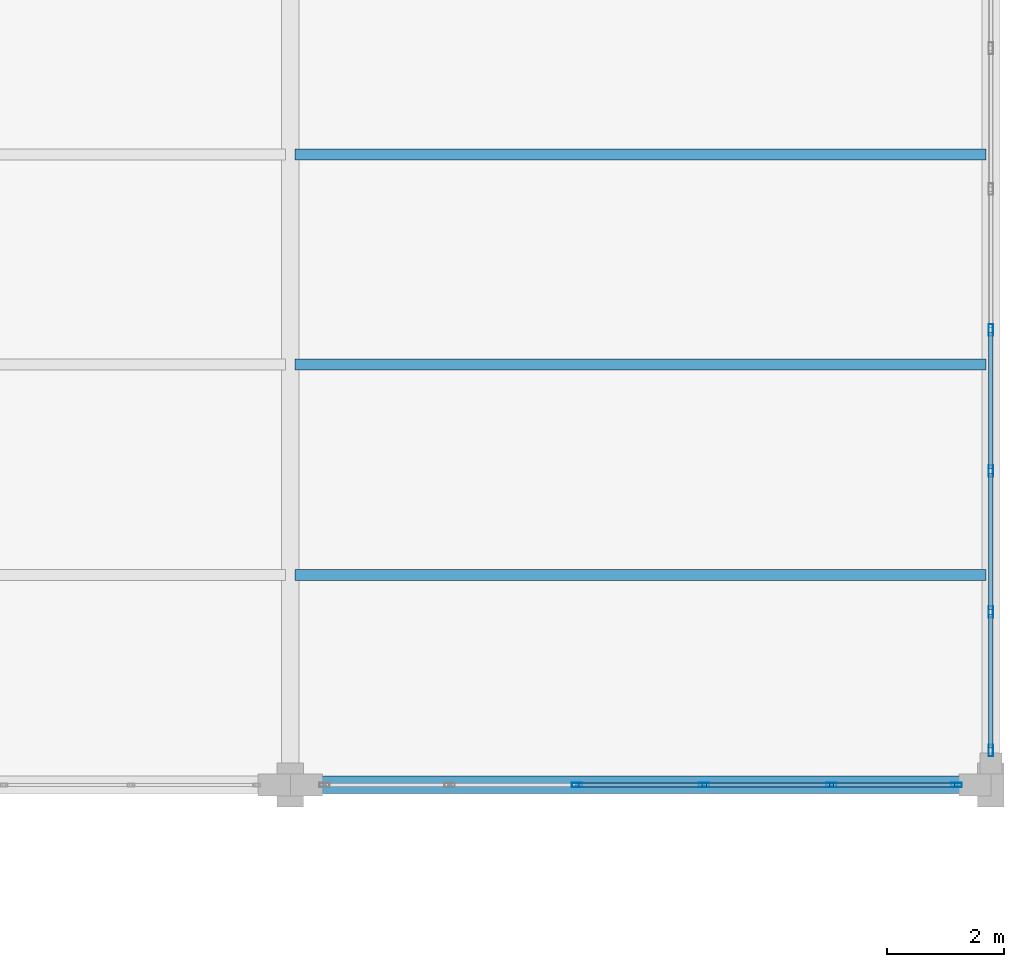
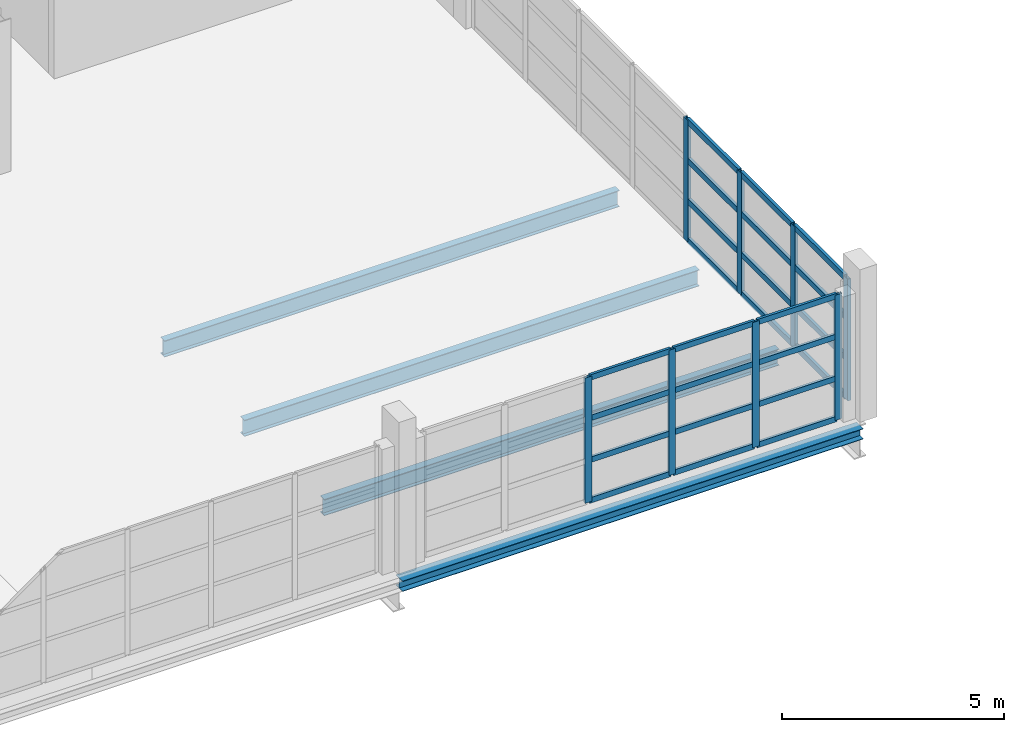
# One storey, part 100 of 147: 32 members, 4 beams, 2 elements without a shape of their own.
"""IFC4 building model written with IfcOpenShell, lengths in metres."""

import ifcopenshell
import ifcopenshell.guid

model = None  # the IFC model being written
_history = None  # IfcOwnerHistory: only IFC2X3 demands one
_inside = {}  # id of a spatial element -> (the spatial element, [elements in it])
_under = {}  # id of a project, library or spatial element -> (it, [spatial elements below it])
_declared = {}  # id of a project -> (the project, [libraries it declares])
_typed = {}  # id of a type object -> (the type object, [elements of that type])
_made_of = {}  # id of a material, layer set ... -> (it, [elements and type objects made of it])


def new_model(schema):
    """Start an empty IFC model of exactly this schema.

    Asked for "IFC4X3", IfcOpenShell would pick the latest addendum, in which some entities
    have other attributes; the version numbers below select the first issue.
    IFC2X3 requires an IfcOwnerHistory on every rooted entity: one is made here for all.
    """
    global model, _history
    if schema == "IFC4X3":
        model = ifcopenshell.file(schema_version=(4, 3, 0, 0))
    else:
        model = ifcopenshell.file(schema=schema)
    _inside.clear()
    _under.clear()
    _declared.clear()
    _typed.clear()
    _made_of.clear()
    _history = None
    if model.schema == "IFC2X3":
        org = make("IfcOrganization", Name="unknown")
        user = make(
            "IfcPersonAndOrganization",
            ThePerson=make("IfcPerson", FamilyName="unknown"),
            TheOrganization=org,
        )
        app = make(
            "IfcApplication",
            ApplicationDeveloper=org,
            Version="unknown",
            ApplicationFullName="unknown",
            ApplicationIdentifier="unknown",
        )
        _history = make(
            "IfcOwnerHistory",
            OwningUser=user,
            OwningApplication=app,
            ChangeAction="ADDED",
            CreationDate=0,
        )
    return model


def make(cls, **values):
    """One entity of the class cls with the attributes given. An attribute that is None is left unset."""
    return model.create_entity(
        cls, **{name: value for name, value in values.items() if value is not None}
    )


def rooted(cls, **values):
    """An entity with a GlobalId (a new one), such as an element, a storey or a relation."""
    return make(cls, GlobalId=ifcopenshell.guid.new(), OwnerHistory=_history, **values)


def si_unit(unit_type, name, prefix=None):
    """IfcSIUnit, for example si_unit("LENGTHUNIT", "METRE", prefix="MILLI")."""
    return make("IfcSIUnit", UnitType=unit_type, Prefix=prefix, Name=name)


def assignment(units):
    """IfcUnitAssignment: the units of a project."""
    return None if units is None else make("IfcUnitAssignment", Units=units)


def point(xyz):
    """IfcCartesianPoint."""
    return None if xyz is None else make("IfcCartesianPoint", Coordinates=xyz)


def direction(xyz):
    """IfcDirection."""
    return None if xyz is None else make("IfcDirection", DirectionRatios=xyz)


def frame(location, z_axis=None, x_axis=None):
    """IfcAxis2Placement3D, a coordinate frame: its origin and axes. An axis left out is left unset."""
    return make(
        "IfcAxis2Placement3D",
        Location=point(location),
        Axis=direction(z_axis),
        RefDirection=direction(x_axis),
    )


def frame_2d(location, x_axis=None):
    """IfcAxis2Placement2D, a coordinate frame in the plane: its origin and x axis."""
    return make(
        "IfcAxis2Placement2D", Location=point(location), RefDirection=direction(x_axis)
    )


def origin():
    """The frame at (0, 0, 0) with its axes left unset."""
    return frame((0.0, 0.0, 0.0))


def origin_2d():
    """The frame at (0, 0) in the plane with its x axis left unset."""
    return frame_2d((0.0, 0.0))


def place(relative_to, where):
    """IfcLocalPlacement: puts the frame where relative to a parent placement (None: the world)."""
    return make(
        "IfcLocalPlacement", PlacementRelTo=relative_to, RelativePlacement=where
    )


def context(
    kind, dimensions, precision=None, world=None, true_north=None, identifier=None
):
    """IfcGeometricRepresentationContext, for example the 3D "Model" context."""
    return make(
        "IfcGeometricRepresentationContext",
        ContextIdentifier=identifier,
        ContextType=kind,
        CoordinateSpaceDimension=dimensions,
        Precision=precision,
        WorldCoordinateSystem=world,
        TrueNorth=true_north,
    )


def subcontext(parent, identifier, kind, view, scale=None):
    """IfcGeometricRepresentationSubContext, for example "Body" below "Model"."""
    return make(
        "IfcGeometricRepresentationSubContext",
        ContextIdentifier=identifier,
        ContextType=kind,
        ParentContext=parent,
        TargetScale=scale,
        TargetView=view,
    )


def project(units=None, contexts=None):
    """IfcProject with its units and contexts."""
    return rooted(
        "IfcProject",
        Name="project",
        RepresentationContexts=contexts,
        UnitsInContext=assignment(units),
    )


def spatial(cls, under=None, at=None, **own):
    """A site, building, storey or space (cls), placed at a placement, below another one or the project."""
    s = rooted(cls, ObjectPlacement=at, **own)
    if under is not None:
        _under.setdefault(under.id(), (under, []))[1].append(s)
    return s


def profile(cls, at=None, kind="AREA", **sizes):
    """A parametric profile (cls). Its sizes go by their IFC names, for example OverallWidth=200.0."""
    return make(cls, ProfileType=kind, Position=at, **sizes)


def hollow_rectangle(**sizes):
    """IfcRectangleHollowProfileDef."""
    return profile("IfcRectangleHollowProfileDef", **sizes)


def i_section(**sizes):
    """IfcIShapeProfileDef."""
    return profile("IfcIShapeProfileDef", **sizes)


def extrude(swept, where, along, depth):
    """IfcExtrudedAreaSolid: the profile swept, set in the frame where, extruded along a direction by depth."""
    return make(
        "IfcExtrudedAreaSolid",
        SweptArea=swept,
        Position=where,
        ExtrudedDirection=direction(along),
        Depth=depth,
    )


def shape(context_of_items, identifier, shape_type, items):
    """IfcShapeRepresentation: the items that make up one representation, for example the "Body"."""
    return make(
        "IfcShapeRepresentation",
        ContextOfItems=context_of_items,
        RepresentationIdentifier=identifier,
        RepresentationType=shape_type,
        Items=items,
    )


def material(Name=None, Category=None):
    """IfcMaterial."""
    return make("IfcMaterial", Name=Name, Category=Category)


def layer(
    of_material, thickness, ventilated=None, Name=None, Category=None, Priority=None
):
    """IfcMaterialLayer: one layer of a wall or slab, of a material (None: an air gap)."""
    return make(
        "IfcMaterialLayer",
        Material=of_material,
        LayerThickness=thickness,
        IsVentilated=ventilated,
        Name=Name,
        Category=Category,
        Priority=Priority,
    )


def layer_set(layers, Name=None):
    """IfcMaterialLayerSet."""
    return make("IfcMaterialLayerSet", MaterialLayers=layers, LayerSetName=Name)


def material_profile(
    of_material, cross_section, Name=None, Category=None, Priority=None
):
    """IfcMaterialProfile: a cross section and its material."""
    return make(
        "IfcMaterialProfile",
        Name=Name,
        Material=of_material,
        Profile=cross_section,
        Priority=Priority,
        Category=Category,
    )


def profile_set(profiles, Name=None, composite=None):
    """IfcMaterialProfileSet."""
    return make(
        "IfcMaterialProfileSet",
        Name=Name,
        MaterialProfiles=profiles,
        CompositeProfile=composite,
    )


def made_of(thing, what):
    """Note that an element or type object is made of a material, layer set ...; save() writes the relation."""
    if what is not None:
        _made_of.setdefault(what.id(), (what, []))[1].append(thing)
    return thing


def type_object(cls, material=None, **own):
    """A type object (cls), such as IfcWallType, which elements share."""
    return made_of(rooted(cls, **own), material)


def element(
    cls,
    number,
    at=None,
    inside=None,
    cuts=None,
    type_object=None,
    material=None,
    context=None,
    identifier="Body",
    shape_type=None,
    held_by="IfcProductDefinitionShape",
    body=None,
    shapes=None,
    **own,
):
    """One element of the class cls, such as IfcWall. Its Tag is "e" and its number.

    at: its placement. inside: the storey or other place that contains it. cuts: it is an
    opening in that element (IfcRelVoidsElement). A single representation is given by context,
    identifier, shape_type and body (its items); several are given by shapes. held_by: the class
    of the entity that holds the representations. save() writes the other relations.
    """
    e = rooted(cls, Tag="e%d" % number, ObjectPlacement=at, **own)
    if body is not None:
        shapes = [shape(context, identifier, shape_type, body)]
    if shapes is not None:
        e.Representation = make(held_by, Representations=shapes)
    if inside is not None:
        _inside.setdefault(inside.id(), (inside, []))[1].append(e)
    if cuts is not None:
        rooted(
            "IfcRelVoidsElement", RelatingBuildingElement=cuts, RelatedOpeningElement=e
        )
    if type_object is not None:
        _typed.setdefault(type_object.id(), (type_object, []))[1].append(e)
    return made_of(e, material)


def aggregate(whole, parts):
    """IfcRelAggregates: a whole, such as a stair, and the parts it consists of."""
    return rooted("IfcRelAggregates", RelatingObject=whole, RelatedObjects=parts)


def save(model, path):
    """Write the relations noted so far, then the file.

    IfcRelAggregates (storeys below a building ...), IfcRelContainedInSpatialStructure (elements
    in a storey), IfcRelDefinesByType, IfcRelAssociatesMaterial and IfcRelDeclares: one each for
    every whole, place, type object, material and project.
    """
    for whole, parts in _under.values():
        aggregate(whole, parts)
    for where, things in _inside.values():
        rooted(
            "IfcRelContainedInSpatialStructure",
            RelatedElements=things,
            RelatingStructure=where,
        )
    for kind, things in _typed.values():
        rooted("IfcRelDefinesByType", RelatedObjects=things, RelatingType=kind)
    for what, things in _made_of.values():
        rooted("IfcRelAssociatesMaterial", RelatedObjects=things, RelatingMaterial=what)
    for by, libraries in _declared.values():
        rooted("IfcRelDeclares", RelatingContext=by, RelatedDefinitions=libraries)
    model.write(path)


model = new_model("IFC4")

# Units and contexts
model_context = context("Model", 3, precision=1e-05, world=origin(), true_north=direction((0.0, 1.0)))
body_context = subcontext(model_context, "Body", "Model", "MODEL_VIEW")
ifc_project = project(units=[si_unit("LENGTHUNIT", "METRE"), si_unit("AREAUNIT", "SQUARE_METRE"), si_unit("VOLUMEUNIT", "CUBIC_METRE"), si_unit("PLANEANGLEUNIT", "RADIAN"), si_unit("MASSUNIT", "GRAM", prefix="KILO")], contexts=[model_context])

# Site, building, storey
site_placement = place(None, origin())
site = spatial("IfcSite", under=ifc_project, at=site_placement, CompositionType="ELEMENT")
building_placement = place(site_placement, origin())
building = spatial("IfcBuilding", under=site, at=building_placement, Name="Zilviju Railside Exhibition Hall", CompositionType="ELEMENT")
storey_placement = place(building_placement, frame((0.0, 0.0, 8.39990234375)))
storey = spatial("IfcBuildingStorey", under=building, at=storey_placement, Name="L03", CompositionType="ELEMENT", Elevation=8.39990234375)

# Beams
ifc_material_1 = material(Name="Steel S355J2", Category="steel")
ifc_material_profile_1 = material_profile(ifc_material_1, i_section(OverallWidth=0.300048828125, OverallDepth=0.2900390625, WebThickness=0.008544921875, FlangeThickness=0.013916015625, at=origin_2d()), Name="HEA 300")
ifc_profile_set_1 = profile_set([ifc_material_profile_1], Name="Steel S355J2")
beam_type_1 = type_object("IfcBeamType", Name="BM-HEA300", PredefinedType="SPANDREL", material=ifc_profile_set_1)
beam_placement = place(storey_placement, frame((204.0, 84.0, -0.52490234375), z_axis=(1.0, 0.0, 0.0), x_axis=(0.0, 1.0, 0.0)))
element("IfcBeam", 1, at=beam_placement, inside=storey, type_object=beam_type_1, Name="Primary Girder L03 Y=84.0 (204.0..216.0)", PredefinedType="SPANDREL", context=body_context, shape_type="SweptSolid", body=[
    extrude(i_section(OverallWidth=0.300048828125, OverallDepth=0.2900390625, WebThickness=0.008544921875, FlangeThickness=0.013916015625, at=origin_2d()), origin(), (0.0, 0.0, 1.0), 12.0),
])
ifc_material_profile_2 = material_profile(ifc_material_1, i_section(OverallWidth=0.18994140625, OverallDepth=0.449951171875, WebThickness=0.009521484375, FlangeThickness=0.0146484375, at=origin_2d()), Name="IPE 450")
ifc_profile_set_2 = profile_set([ifc_material_profile_2], Name="Steel S355J2")
beam_type_2 = type_object("IfcBeamType", Name="BM-IPE450", PredefinedType="JOIST", material=ifc_profile_set_2)
for number, where, z_axis, x_axis, name in (
    (2, (204.080078125, 87.60009765625, -0.60498046875), (1.0, 0.0, 0.0), (0.0, 1.0, 0.0), "Composite Floor Joist L03 Y=87.60 (204.0..216.0)"),
    (3, (204.080078125, 91.199951171875, -0.60498046875), (1.0, 0.0, 0.0), (0.0, 1.0, 0.0), "Composite Floor Joist L03 Y=91.20 (204.0..216.0)"),
    (4, (204.080078125, 94.800048828125, -0.60498046875), (1.0, 0.0, 0.0), (0.0, 1.0, 0.0), "Composite Floor Joist L03 Y=94.80 (204.0..216.0)"),
):
    element("IfcBeam", number, at=place(storey_placement, frame(where, z_axis=z_axis, x_axis=x_axis)), inside=storey, type_object=beam_type_2, Name=name, PredefinedType="JOIST", context=body_context, shape_type="SweptSolid", body=[
        extrude(i_section(OverallWidth=0.18994140625, OverallDepth=0.449951171875, WebThickness=0.009521484375, FlangeThickness=0.0146484375, at=origin_2d()), origin(), (0.0, 0.0, 1.0), 11.83984375),
    ])

# Curtain wall, members
ifc_material_2 = material(Name="Thermally broken aluminium-steel triple-glazed curtain wall", Category="steel")
ifc_layer_1 = layer(ifc_material_2, 0.179931640625)
ifc_layer_set_1 = layer_set([ifc_layer_1], Name="Thermally broken aluminium-steel triple-glazed curtain wall")
curtain_wall_type_1 = type_object("IfcCurtainWallType", Name="CW-BAY-05", PredefinedType="USERDEFINED", material=ifc_layer_set_1)
curtain_wall_1_placement = place(storey_placement, origin())
curtain_wall_1 = element("IfcCurtainWall", 5, at=curtain_wall_1_placement, inside=storey, type_object=curtain_wall_type_1, Name="North Hall Garden Court Curtain Wall L03 (204..216)", ObjectType="GLAZED CURTAIN WALL", PredefinedType="USERDEFINED")
ifc_material_3 = material(Name="Thermally broken anodized aluminium mullion", Category="aluminium")
ifc_material_profile_3 = material_profile(ifc_material_3, hollow_rectangle(XDim=0.070068359375, YDim=0.179931640625, WallThickness=0.0048828125, at=origin_2d()), Name="MULLION 180x70x5")
ifc_profile_set_3 = profile_set([ifc_material_profile_3], Name="Thermally broken anodized aluminium mullion")
member_type_1 = type_object("IfcMemberType", Name="CWM-70x180", PredefinedType="MULLION", material=ifc_profile_set_3)
member_1_placement = place(storey_placement, frame((215.4150390625, 84.0, 0.0), z_axis=(0.0, 0.0, 1.0), x_axis=(0.0, -1.0, 0.0)))
member_1 = element("IfcMember", 6, at=member_1_placement, type_object=member_type_1, Name="CW-05 mullion 1", PredefinedType="MULLION", context=body_context, shape_type="SweptSolid", body=[
    extrude(hollow_rectangle(XDim=0.070068359375, YDim=0.179931640625, WallThickness=0.0048828125, at=origin_2d()), origin(), (0.0, 0.0, 1.0), 3.4501953125),
])
member_2_placement = place(storey_placement, frame((213.27001953125, 84.0, 0.0), z_axis=(0.0, 0.0, 1.0), x_axis=(0.0, -1.0, 0.0)))
member_2 = element("IfcMember", 7, at=member_2_placement, type_object=member_type_1, Name="CW-05 mullion 2", PredefinedType="MULLION", context=body_context, shape_type="SweptSolid", body=[
    extrude(hollow_rectangle(XDim=0.070068359375, YDim=0.179931640625, WallThickness=0.0048828125, at=origin_2d()), origin(), (0.0, 0.0, 1.0), 3.4501953125),
])
member_3_placement = place(storey_placement, frame((211.090087890625, 84.0, 0.0), z_axis=(0.0, 0.0, 1.0), x_axis=(0.0, -1.0, 0.0)))
member_3 = element("IfcMember", 8, at=member_3_placement, type_object=member_type_1, Name="CW-05 mullion 3", PredefinedType="MULLION", context=body_context, shape_type="SweptSolid", body=[
    extrude(hollow_rectangle(XDim=0.070068359375, YDim=0.179931640625, WallThickness=0.0048828125, at=origin_2d()), origin(), (0.0, 0.0, 1.0), 3.4501953125),
])
member_4_placement = place(storey_placement, frame((208.909912109375, 84.0, 0.0), z_axis=(0.0, 0.0, 1.0), x_axis=(0.0, -1.0, 0.0)))
member_4 = element("IfcMember", 9, at=member_4_placement, type_object=member_type_1, Name="CW-05 mullion 4", PredefinedType="MULLION", context=body_context, shape_type="SweptSolid", body=[
    extrude(hollow_rectangle(XDim=0.070068359375, YDim=0.179931640625, WallThickness=0.0048828125, at=origin_2d()), origin(), (0.0, 0.0, 1.0), 3.4501953125),
])

ifc_layer_2 = layer(ifc_material_2, 0.179931640625)
ifc_layer_set_2 = layer_set([ifc_layer_2], Name="Thermally broken aluminium-steel triple-glazed curtain wall")
curtain_wall_type_2 = type_object("IfcCurtainWallType", Name="CW-BAY-08", PredefinedType="USERDEFINED", material=ifc_layer_set_2)
curtain_wall_2_placement = place(storey_placement, origin())
curtain_wall_2 = element("IfcCurtainWall", 10, at=curtain_wall_2_placement, inside=storey, type_object=curtain_wall_type_2, Name="North Hall East Glazed Gable L03 (84..102)", ObjectType="GLAZED CURTAIN WALL", PredefinedType="USERDEFINED")
ifc_material_profile_4 = material_profile(ifc_material_3, hollow_rectangle(XDim=0.080078125, YDim=0.199951171875, WallThickness=0.0048828125, at=origin_2d()), Name="MULLION 200x80x5")
ifc_profile_set_4 = profile_set([ifc_material_profile_4], Name="Thermally broken anodized aluminium mullion")
member_type_2 = type_object("IfcMemberType", Name="CWM-80x200", PredefinedType="MULLION", material=ifc_profile_set_4)
member_5_placement = place(storey_placement, frame((216.0, 91.79296875, 0.0), z_axis=(0.0, 0.0, 1.0), x_axis=(1.0, 0.0, 0.0)))
member_5 = element("IfcMember", 11, at=member_5_placement, type_object=member_type_2, Name="CW-08 mullion 5", PredefinedType="MULLION", context=body_context, shape_type="SweptSolid", body=[
    extrude(hollow_rectangle(XDim=0.080078125, YDim=0.199951171875, WallThickness=0.0048828125, at=origin_2d()), origin(), (0.0, 0.0, 1.0), 3.35009765625),
])
member_6_placement = place(storey_placement, frame((216.0, 89.378662109375, 0.0), z_axis=(0.0, 0.0, 1.0), x_axis=(1.0, 0.0, 0.0)))
member_6 = element("IfcMember", 12, at=member_6_placement, type_object=member_type_2, Name="CW-08 mullion 6", PredefinedType="MULLION", context=body_context, shape_type="SweptSolid", body=[
    extrude(hollow_rectangle(XDim=0.080078125, YDim=0.199951171875, WallThickness=0.0048828125, at=origin_2d()), origin(), (0.0, 0.0, 1.0), 3.35009765625),
])
member_7_placement = place(storey_placement, frame((216.0, 86.96435546875, 0.0), z_axis=(0.0, 0.0, 1.0), x_axis=(1.0, 0.0, 0.0)))
member_7 = element("IfcMember", 13, at=member_7_placement, type_object=member_type_2, Name="CW-08 mullion 7", PredefinedType="MULLION", context=body_context, shape_type="SweptSolid", body=[
    extrude(hollow_rectangle(XDim=0.080078125, YDim=0.199951171875, WallThickness=0.0048828125, at=origin_2d()), origin(), (0.0, 0.0, 1.0), 3.35009765625),
])
member_8_placement = place(storey_placement, frame((216.0, 84.590087890625, 0.0), z_axis=(0.0, 0.0, 1.0), x_axis=(1.0, 0.0, 0.0)))
member_8 = element("IfcMember", 14, at=member_8_placement, type_object=member_type_2, Name="CW-08 mullion 8", PredefinedType="MULLION", context=body_context, shape_type="SweptSolid", body=[
    extrude(hollow_rectangle(XDim=0.080078125, YDim=0.199951171875, WallThickness=0.0048828125, at=origin_2d()), origin(), (0.0, 0.0, 1.0), 3.35009765625),
])

# Member
ifc_material_4 = material(Name="Thermally broken anodized aluminium transom", Category="aluminium")
ifc_material_profile_5 = material_profile(ifc_material_4, hollow_rectangle(XDim=0.070068359375, YDim=0.14990234375, WallThickness=0.0048828125, at=origin_2d()), Name="TRANSOM 150x70x5")
ifc_profile_set_5 = profile_set([ifc_material_profile_5], Name="Thermally broken anodized aluminium transom")
member_type_3 = type_object("IfcMemberType", Name="CWT-70x150", PredefinedType="USERDEFINED", material=ifc_profile_set_5)
member_9_placement = place(storey_placement, frame((215.3798828125, 84.0, 0.03515625), z_axis=(-1.0, 0.0, 0.0), x_axis=(0.0, -1.0, 0.0)))
member_9 = element("IfcMember", 15, at=member_9_placement, type_object=member_type_3, Name="CW-05 transom 1.1", ObjectType="TRANSOM", PredefinedType="USERDEFINED", context=body_context, shape_type="SweptSolid", body=[
    extrude(hollow_rectangle(XDim=0.070068359375, YDim=0.14990234375, WallThickness=0.0048828125, at=origin_2d()), origin(), (0.0, 0.0, 1.0), 2.074951171875),
])

member_10_placement = place(storey_placement, frame((215.3798828125, 84.0, 1.150146484375), z_axis=(-1.0, 0.0, 0.0), x_axis=(0.0, -1.0, 0.0)))
member_10 = element("IfcMember", 16, at=member_10_placement, type_object=member_type_3, Name="CW-05 transom 1.2", ObjectType="TRANSOM", PredefinedType="USERDEFINED", context=body_context, shape_type="SweptSolid", body=[
    extrude(hollow_rectangle(XDim=0.070068359375, YDim=0.14990234375, WallThickness=0.0048828125, at=origin_2d()), origin(), (0.0, 0.0, 1.0), 2.074951171875),
])

member_11_placement = place(storey_placement, frame((215.3798828125, 84.0, 2.300048828125), z_axis=(-1.0, 0.0, 0.0), x_axis=(0.0, -1.0, 0.0)))
member_11 = element("IfcMember", 17, at=member_11_placement, type_object=member_type_3, Name="CW-05 transom 1.3", ObjectType="TRANSOM", PredefinedType="USERDEFINED", context=body_context, shape_type="SweptSolid", body=[
    extrude(hollow_rectangle(XDim=0.070068359375, YDim=0.14990234375, WallThickness=0.0048828125, at=origin_2d()), origin(), (0.0, 0.0, 1.0), 2.074951171875),
])

member_12_placement = place(storey_placement, frame((215.3798828125, 84.0, 3.4150390625), z_axis=(-1.0, 0.0, 0.0), x_axis=(0.0, -1.0, 0.0)))
member_12 = element("IfcMember", 18, at=member_12_placement, type_object=member_type_3, Name="CW-05 transom 1.4", ObjectType="TRANSOM", PredefinedType="USERDEFINED", context=body_context, shape_type="SweptSolid", body=[
    extrude(hollow_rectangle(XDim=0.070068359375, YDim=0.14990234375, WallThickness=0.0048828125, at=origin_2d()), origin(), (0.0, 0.0, 1.0), 2.074951171875),
])

member_13_placement = place(storey_placement, frame((213.235107421875, 84.0, 0.03515625), z_axis=(-1.0, 0.0, 0.0), x_axis=(0.0, -1.0, 0.0)))
member_13 = element("IfcMember", 19, at=member_13_placement, type_object=member_type_3, Name="CW-05 transom 2.1", ObjectType="TRANSOM", PredefinedType="USERDEFINED", context=body_context, shape_type="SweptSolid", body=[
    extrude(hollow_rectangle(XDim=0.070068359375, YDim=0.14990234375, WallThickness=0.0048828125, at=origin_2d()), origin(), (0.0, 0.0, 1.0), 2.110107421875),
])

member_14_placement = place(storey_placement, frame((213.235107421875, 84.0, 1.150146484375), z_axis=(-1.0, 0.0, 0.0), x_axis=(0.0, -1.0, 0.0)))
member_14 = element("IfcMember", 20, at=member_14_placement, type_object=member_type_3, Name="CW-05 transom 2.2", ObjectType="TRANSOM", PredefinedType="USERDEFINED", context=body_context, shape_type="SweptSolid", body=[
    extrude(hollow_rectangle(XDim=0.070068359375, YDim=0.14990234375, WallThickness=0.0048828125, at=origin_2d()), origin(), (0.0, 0.0, 1.0), 2.110107421875),
])

member_15_placement = place(storey_placement, frame((213.235107421875, 84.0, 2.300048828125), z_axis=(-1.0, 0.0, 0.0), x_axis=(0.0, -1.0, 0.0)))
member_15 = element("IfcMember", 21, at=member_15_placement, type_object=member_type_3, Name="CW-05 transom 2.3", ObjectType="TRANSOM", PredefinedType="USERDEFINED", context=body_context, shape_type="SweptSolid", body=[
    extrude(hollow_rectangle(XDim=0.070068359375, YDim=0.14990234375, WallThickness=0.0048828125, at=origin_2d()), origin(), (0.0, 0.0, 1.0), 2.110107421875),
])

member_16_placement = place(storey_placement, frame((213.235107421875, 84.0, 3.4150390625), z_axis=(-1.0, 0.0, 0.0), x_axis=(0.0, -1.0, 0.0)))
member_16 = element("IfcMember", 22, at=member_16_placement, type_object=member_type_3, Name="CW-05 transom 2.4", ObjectType="TRANSOM", PredefinedType="USERDEFINED", context=body_context, shape_type="SweptSolid", body=[
    extrude(hollow_rectangle(XDim=0.070068359375, YDim=0.14990234375, WallThickness=0.0048828125, at=origin_2d()), origin(), (0.0, 0.0, 1.0), 2.110107421875),
])

member_17_placement = place(storey_placement, frame((211.054931640625, 84.0, 0.03515625), z_axis=(-1.0, 0.0, 0.0), x_axis=(0.0, -1.0, 0.0)))
member_17 = element("IfcMember", 23, at=member_17_placement, type_object=member_type_3, Name="CW-05 transom 3.1", ObjectType="TRANSOM", PredefinedType="USERDEFINED", context=body_context, shape_type="SweptSolid", body=[
    extrude(hollow_rectangle(XDim=0.070068359375, YDim=0.14990234375, WallThickness=0.0048828125, at=origin_2d()), origin(), (0.0, 0.0, 1.0), 2.10986328125),
])

member_18_placement = place(storey_placement, frame((211.054931640625, 84.0, 1.150146484375), z_axis=(-1.0, 0.0, 0.0), x_axis=(0.0, -1.0, 0.0)))
member_18 = element("IfcMember", 24, at=member_18_placement, type_object=member_type_3, Name="CW-05 transom 3.2", ObjectType="TRANSOM", PredefinedType="USERDEFINED", context=body_context, shape_type="SweptSolid", body=[
    extrude(hollow_rectangle(XDim=0.070068359375, YDim=0.14990234375, WallThickness=0.0048828125, at=origin_2d()), origin(), (0.0, 0.0, 1.0), 2.10986328125),
])

member_19_placement = place(storey_placement, frame((211.054931640625, 84.0, 2.300048828125), z_axis=(-1.0, 0.0, 0.0), x_axis=(0.0, -1.0, 0.0)))
member_19 = element("IfcMember", 25, at=member_19_placement, type_object=member_type_3, Name="CW-05 transom 3.3", ObjectType="TRANSOM", PredefinedType="USERDEFINED", context=body_context, shape_type="SweptSolid", body=[
    extrude(hollow_rectangle(XDim=0.070068359375, YDim=0.14990234375, WallThickness=0.0048828125, at=origin_2d()), origin(), (0.0, 0.0, 1.0), 2.10986328125),
])

member_20_placement = place(storey_placement, frame((211.054931640625, 84.0, 3.4150390625), z_axis=(-1.0, 0.0, 0.0), x_axis=(0.0, -1.0, 0.0)))
member_20 = element("IfcMember", 26, at=member_20_placement, type_object=member_type_3, Name="CW-05 transom 3.4", ObjectType="TRANSOM", PredefinedType="USERDEFINED", context=body_context, shape_type="SweptSolid", body=[
    extrude(hollow_rectangle(XDim=0.070068359375, YDim=0.14990234375, WallThickness=0.0048828125, at=origin_2d()), origin(), (0.0, 0.0, 1.0), 2.10986328125),
])

aggregate(curtain_wall_1, [member_1, member_2, member_3, member_4, member_9, member_10, member_11, member_12, member_13, member_14, member_15, member_16, member_17, member_18, member_19, member_20])

ifc_material_profile_6 = material_profile(ifc_material_4, hollow_rectangle(XDim=0.080078125, YDim=0.159912109375, WallThickness=0.0048828125, at=origin_2d()), Name="TRANSOM 160x80x5")
ifc_profile_set_6 = profile_set([ifc_material_profile_6], Name="Thermally broken anodized aluminium transom")
member_type_4 = type_object("IfcMemberType", Name="CWT-80x160", PredefinedType="USERDEFINED", material=ifc_profile_set_6)
member_21_placement = place(storey_placement, frame((216.0, 91.7529296875, 0.0400390625), z_axis=(0.0, -1.0, 0.0), x_axis=(1.0, 0.0, 0.0)))
member_21 = element("IfcMember", 27, at=member_21_placement, type_object=member_type_4, Name="CW-08 transom 5.1", ObjectType="TRANSOM", PredefinedType="USERDEFINED", context=body_context, shape_type="SweptSolid", body=[
    extrude(hollow_rectangle(XDim=0.080078125, YDim=0.159912109375, WallThickness=0.0048828125, at=origin_2d()), origin(), (0.0, 0.0, 1.0), 2.33447265625),
])

member_22_placement = place(storey_placement, frame((216.0, 91.7529296875, 1.1171875), z_axis=(0.0, -1.0, 0.0), x_axis=(1.0, 0.0, 0.0)))
member_22 = element("IfcMember", 28, at=member_22_placement, type_object=member_type_4, Name="CW-08 transom 5.2", ObjectType="TRANSOM", PredefinedType="USERDEFINED", context=body_context, shape_type="SweptSolid", body=[
    extrude(hollow_rectangle(XDim=0.080078125, YDim=0.159912109375, WallThickness=0.0048828125, at=origin_2d()), origin(), (0.0, 0.0, 1.0), 2.33447265625),
])

member_23_placement = place(storey_placement, frame((216.0, 91.7529296875, 2.233154296875), z_axis=(0.0, -1.0, 0.0), x_axis=(1.0, 0.0, 0.0)))
member_23 = element("IfcMember", 29, at=member_23_placement, type_object=member_type_4, Name="CW-08 transom 5.3", ObjectType="TRANSOM", PredefinedType="USERDEFINED", context=body_context, shape_type="SweptSolid", body=[
    extrude(hollow_rectangle(XDim=0.080078125, YDim=0.159912109375, WallThickness=0.0048828125, at=origin_2d()), origin(), (0.0, 0.0, 1.0), 2.33447265625),
])

member_24_placement = place(storey_placement, frame((216.0, 91.7529296875, 3.31005859375), z_axis=(0.0, -1.0, 0.0), x_axis=(1.0, 0.0, 0.0)))
member_24 = element("IfcMember", 30, at=member_24_placement, type_object=member_type_4, Name="CW-08 transom 5.4", ObjectType="TRANSOM", PredefinedType="USERDEFINED", context=body_context, shape_type="SweptSolid", body=[
    extrude(hollow_rectangle(XDim=0.080078125, YDim=0.159912109375, WallThickness=0.0048828125, at=origin_2d()), origin(), (0.0, 0.0, 1.0), 2.33447265625),
])

member_25_placement = place(storey_placement, frame((216.0, 89.338623046875, 0.0400390625), z_axis=(0.0, -1.0, 0.0), x_axis=(1.0, 0.0, 0.0)))
member_25 = element("IfcMember", 31, at=member_25_placement, type_object=member_type_4, Name="CW-08 transom 6.1", ObjectType="TRANSOM", PredefinedType="USERDEFINED", context=body_context, shape_type="SweptSolid", body=[
    extrude(hollow_rectangle(XDim=0.080078125, YDim=0.159912109375, WallThickness=0.0048828125, at=origin_2d()), origin(), (0.0, 0.0, 1.0), 2.334228515625),
])

member_26_placement = place(storey_placement, frame((216.0, 89.338623046875, 1.1171875), z_axis=(0.0, -1.0, 0.0), x_axis=(1.0, 0.0, 0.0)))
member_26 = element("IfcMember", 32, at=member_26_placement, type_object=member_type_4, Name="CW-08 transom 6.2", ObjectType="TRANSOM", PredefinedType="USERDEFINED", context=body_context, shape_type="SweptSolid", body=[
    extrude(hollow_rectangle(XDim=0.080078125, YDim=0.159912109375, WallThickness=0.0048828125, at=origin_2d()), origin(), (0.0, 0.0, 1.0), 2.334228515625),
])

member_27_placement = place(storey_placement, frame((216.0, 89.338623046875, 2.233154296875), z_axis=(0.0, -1.0, 0.0), x_axis=(1.0, 0.0, 0.0)))
member_27 = element("IfcMember", 33, at=member_27_placement, type_object=member_type_4, Name="CW-08 transom 6.3", ObjectType="TRANSOM", PredefinedType="USERDEFINED", context=body_context, shape_type="SweptSolid", body=[
    extrude(hollow_rectangle(XDim=0.080078125, YDim=0.159912109375, WallThickness=0.0048828125, at=origin_2d()), origin(), (0.0, 0.0, 1.0), 2.334228515625),
])

member_28_placement = place(storey_placement, frame((216.0, 89.338623046875, 3.31005859375), z_axis=(0.0, -1.0, 0.0), x_axis=(1.0, 0.0, 0.0)))
member_28 = element("IfcMember", 34, at=member_28_placement, type_object=member_type_4, Name="CW-08 transom 6.4", ObjectType="TRANSOM", PredefinedType="USERDEFINED", context=body_context, shape_type="SweptSolid", body=[
    extrude(hollow_rectangle(XDim=0.080078125, YDim=0.159912109375, WallThickness=0.0048828125, at=origin_2d()), origin(), (0.0, 0.0, 1.0), 2.334228515625),
])

member_29_placement = place(storey_placement, frame((216.0, 86.92431640625, 0.0400390625), z_axis=(0.0, -1.0, 0.0), x_axis=(1.0, 0.0, 0.0)))
member_29 = element("IfcMember", 35, at=member_29_placement, type_object=member_type_4, Name="CW-08 transom 7.1", ObjectType="TRANSOM", PredefinedType="USERDEFINED", context=body_context, shape_type="SweptSolid", body=[
    extrude(hollow_rectangle(XDim=0.080078125, YDim=0.159912109375, WallThickness=0.0048828125, at=origin_2d()), origin(), (0.0, 0.0, 1.0), 2.29443359375),
])

member_30_placement = place(storey_placement, frame((216.0, 86.92431640625, 1.1171875), z_axis=(0.0, -1.0, 0.0), x_axis=(1.0, 0.0, 0.0)))
member_30 = element("IfcMember", 36, at=member_30_placement, type_object=member_type_4, Name="CW-08 transom 7.2", ObjectType="TRANSOM", PredefinedType="USERDEFINED", context=body_context, shape_type="SweptSolid", body=[
    extrude(hollow_rectangle(XDim=0.080078125, YDim=0.159912109375, WallThickness=0.0048828125, at=origin_2d()), origin(), (0.0, 0.0, 1.0), 2.29443359375),
])

member_31_placement = place(storey_placement, frame((216.0, 86.92431640625, 2.233154296875), z_axis=(0.0, -1.0, 0.0), x_axis=(1.0, 0.0, 0.0)))
member_31 = element("IfcMember", 37, at=member_31_placement, type_object=member_type_4, Name="CW-08 transom 7.3", ObjectType="TRANSOM", PredefinedType="USERDEFINED", context=body_context, shape_type="SweptSolid", body=[
    extrude(hollow_rectangle(XDim=0.080078125, YDim=0.159912109375, WallThickness=0.0048828125, at=origin_2d()), origin(), (0.0, 0.0, 1.0), 2.29443359375),
])

member_32_placement = place(storey_placement, frame((216.0, 86.92431640625, 3.31005859375), z_axis=(0.0, -1.0, 0.0), x_axis=(1.0, 0.0, 0.0)))
member_32 = element("IfcMember", 38, at=member_32_placement, type_object=member_type_4, Name="CW-08 transom 7.4", ObjectType="TRANSOM", PredefinedType="USERDEFINED", context=body_context, shape_type="SweptSolid", body=[
    extrude(hollow_rectangle(XDim=0.080078125, YDim=0.159912109375, WallThickness=0.0048828125, at=origin_2d()), origin(), (0.0, 0.0, 1.0), 2.29443359375),
])

aggregate(curtain_wall_2, [member_5, member_6, member_7, member_8, member_21, member_22, member_23, member_24, member_25, member_26, member_27, member_28, member_29, member_30, member_31, member_32])

save(model, "model.ifc")
